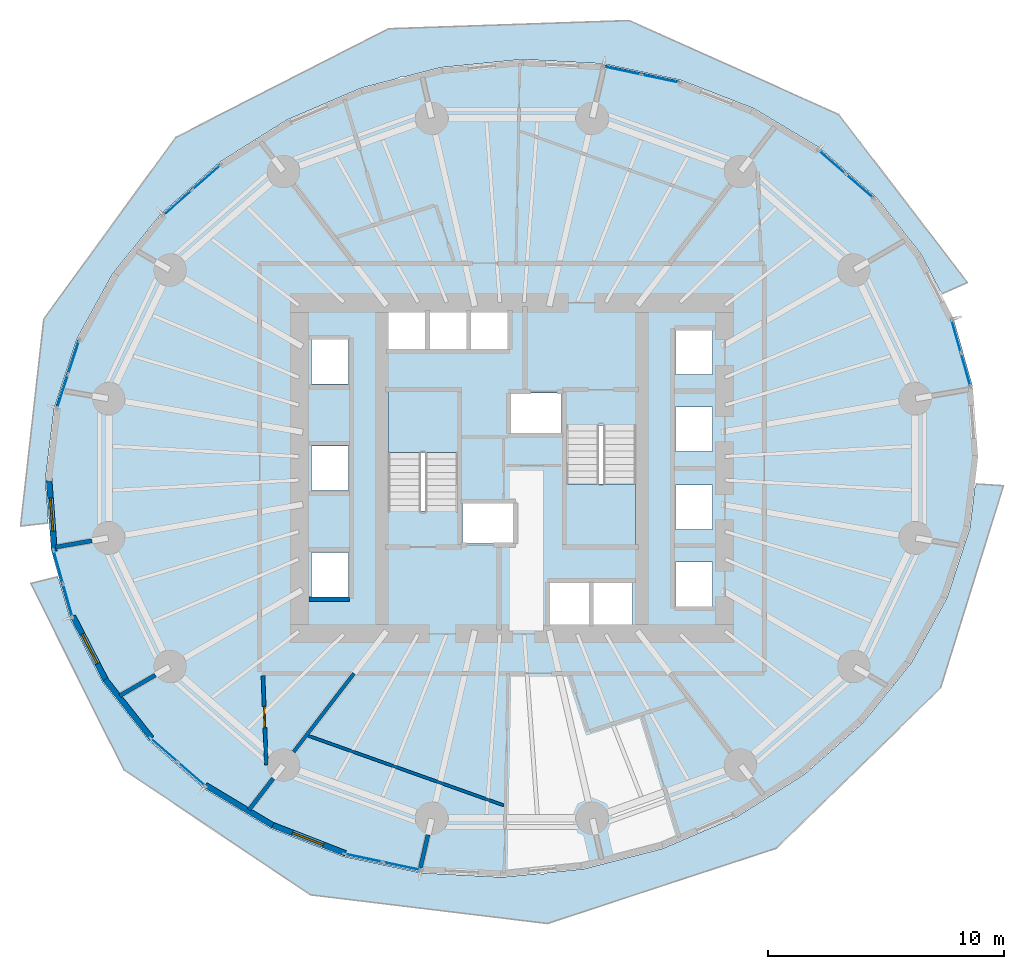
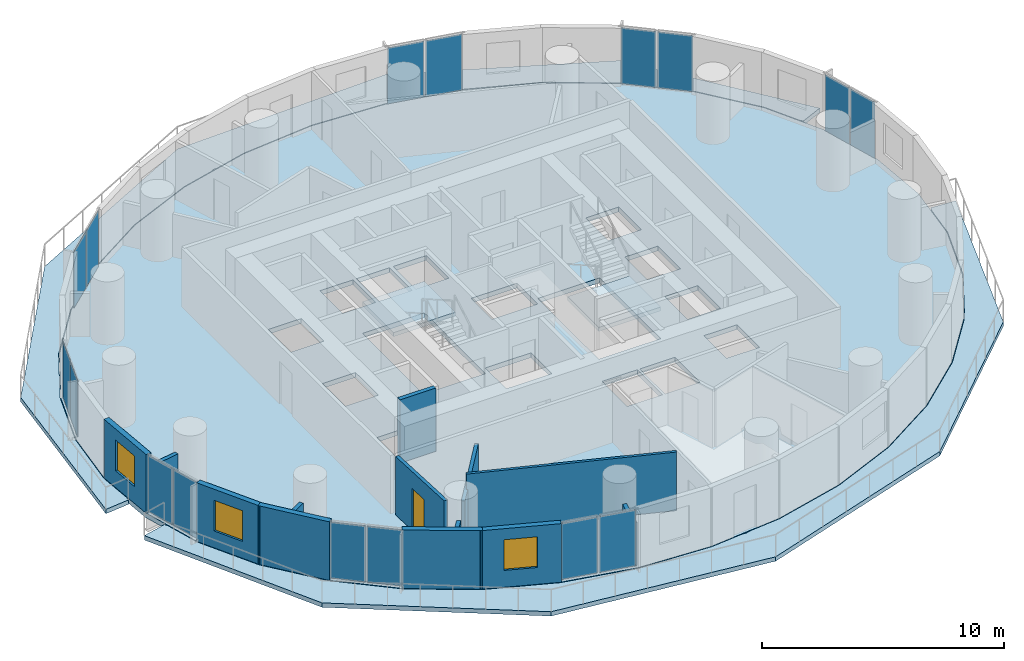
# One storey, part 6 of 14: 16 plates, 13 walls, 5 slabs, 3 windows, 1 door, 4 openings, 10 elements without a shape of their own.
"""IFC4 building model written with IfcOpenShell, lengths in metres."""

from ifc_helpers import new_model, si_unit, direction, frame, frame_2d, origin, origin_2d, place, context, subcontext, project, spatial, polyline, rectangle, outline, extrude, material, layer, layer_set, type_object, element, fill, aggregate, save


model = new_model("IFC4")

# Units and contexts
model_context = context("Model", 3, precision=1e-05, world=origin(), true_north=direction((0.0, 1.0)))
body_context = subcontext(model_context, "Body", "Model", "MODEL_VIEW")
ifc_project = project(units=[si_unit("LENGTHUNIT", "METRE"), si_unit("AREAUNIT", "SQUARE_METRE"), si_unit("VOLUMEUNIT", "CUBIC_METRE"), si_unit("PLANEANGLEUNIT", "RADIAN"), si_unit("MASSUNIT", "GRAM", prefix="KILO")], contexts=[model_context])

# Site, building, storey
site_placement = place(None, origin())
site = spatial("IfcSite", under=ifc_project, at=site_placement, CompositionType="ELEMENT")
building_placement = place(site_placement, origin())
building = spatial("IfcBuilding", under=site, at=building_placement, Name="Veldorim Arch Residences", CompositionType="ELEMENT")
storey_placement = place(building_placement, frame((0.0, 0.0, 50.39990234375)))
storey = spatial("IfcBuildingStorey", under=building, at=storey_placement, Name="L14", CompositionType="ELEMENT", Elevation=50.39990234375)

# Slabs
ifc_material_1 = material(Name="Concrete C40/50", Category="concrete")
ifc_layer_1 = layer(ifc_material_1, 0.219970703125, Name="Planted Crescent Cantilever Balcony Slab 220")
ifc_layer_set_1 = layer_set([ifc_layer_1], Name="Concrete C40/50")
slab_type_1 = type_object("IfcSlabType", Name="Planted Crescent Cantilever Balcony Slab 220", PredefinedType="FLOOR", material=ifc_layer_set_1)
slab_1_placement = place(storey_placement, frame((0.0, 0.0, -0.219970703125)))
element("IfcSlab", 1, at=slab_1_placement, inside=storey, type_object=slab_type_1, Name="L14 planted crescent balcony slab A", PredefinedType="FLOOR", context=body_context, shape_type="SweptSolid", body=[
    extrude(outline(polyline([(50.09228515625, 31.54150390625), (49.310302734375, 33.06201171875), (47.3955078125, 35.485595703125), (45.01318359375, 37.560302734375), (42.235595703125, 39.22265625), (39.147216796875, 40.42236328125), (35.841796875, 41.123291015625), (32.419921875, 41.30419921875), (28.985107421875, 40.959228515625), (27.514892578125, 40.580810546875), (27.31689453125, 40.572021484375), (27.14013671875, 40.484619140625), (25.64208984375, 40.09912109375), (22.4921875, 38.750244140625), (19.630615234375, 36.953125), (17.14501953125, 34.762451171875), (15.110595703125, 32.24462890625), (13.589111328125, 29.47607421875), (12.627197265625, 26.541015625), (12.25390625, 23.5283203125), (12.37939453125, 21.86962890625), (12.34716796875, 21.681884765625), (11.2041015625, 21.557373046875), (12.189453125, 30.31494140625), (17.773193359375, 38.0029296875), (26.772216796875, 42.60009765625), (36.96337890625, 42.94677734375), (45.82080078125, 38.97314453125), (51.26953125, 31.861328125), (50.2177734375, 31.396484375), (50.09228515625, 31.54150390625)])), origin(), (0.0, 0.0, 1.0), 0.219970703125),
])
slab_2_placement = place(storey_placement, frame((0.0, 0.0, -0.219970703125)))
element("IfcSlab", 2, at=slab_2_placement, inside=storey, type_object=slab_type_1, Name="L14 planted crescent balcony slab B", PredefinedType="FLOOR", context=body_context, shape_type="SweptSolid", body=[
    extrude(outline(polyline([(12.84716796875, 19.238037109375), (13.301025390625, 17.63720703125), (14.689697265625, 14.93798828125), (16.6044921875, 12.514404296875), (18.98681640625, 10.439697265625), (21.764404296875, 8.77734375), (24.852783203125, 7.57763671875), (28.158203125, 6.876708984375), (31.580078125, 6.69580078125), (33.118896484375, 6.850341796875), (33.315185546875, 6.829345703125), (33.504150390625, 6.88916015625), (35.014892578125, 7.040771484375), (38.35791015625, 7.90087890625), (41.5078125, 9.249755859375), (44.369384765625, 11.046875), (46.85498046875, 13.237548828125), (48.889404296875, 15.75537109375), (50.410888671875, 18.52392578125), (51.372802734375, 21.458984375), (51.5830078125, 23.15576171875), (51.650634765625, 23.33544921875), (52.79833984375, 23.261474609375), (50.134521484375, 14.70751953125), (43.189208984375, 7.924560546875), (33.502685546875, 4.73779296875), (23.470947265625, 5.951904296875), (15.57958984375, 11.244384765625), (11.63623046875, 19.1259765625), (12.75244140625, 19.40283203125), (12.84716796875, 19.238037109375)])), origin(), (0.0, 0.0, 1.0), 0.219970703125),
])

# Stair, slab
ifc_material_2 = material(Name="Concrete C40/50", Category="concrete")
stair_type = type_object("IfcStairType", Name="Reinforced Concrete Dogleg Exit Staircase", PredefinedType="HALF_TURN_STAIR", material=ifc_material_2)
stair_1_placement = place(storey_placement, origin())
stair_1 = element("IfcStair", 3, at=stair_1_placement, inside=storey, type_object=stair_type, Name="L14 Exit Staircase ST-1", PredefinedType="HALF_TURN_STAIR")
ifc_material_3 = material(Name="Concrete C40/50", Category="concrete")
ifc_layer_2 = layer(ifc_material_3, 0.199951171875, Name="Reinforced Concrete Stair Landing 200")
ifc_layer_set_2 = layer_set([ifc_layer_2], Name="Concrete C40/50")
slab_type_2 = type_object("IfcSlabType", Name="Reinforced Concrete Stair Landing 200", PredefinedType="LANDING", material=ifc_layer_set_2)
slab_3_placement = place(storey_placement, frame((0.0, 0.0, 1.400146484375)))
slab_3 = element("IfcSlab", 4, at=slab_3_placement, type_object=slab_type_2, Name="ST-1 landing 1", PredefinedType="LANDING", context=body_context, shape_type="SweptSolid", body=[
    extrude(outline(polyline([(29.7099609375, 24.669921875), (29.7099609375, 27.25), (26.75, 27.25), (26.75, 24.669921875), (29.7099609375, 24.669921875)])), origin(), (0.0, 0.0, 1.0), 0.199951171875),
])
aggregate(stair_1, [slab_3])

stair_2_placement = place(storey_placement, origin())
stair_2 = element("IfcStair", 5, at=stair_2_placement, inside=storey, type_object=stair_type, Name="L14 Exit Staircase ST-2", PredefinedType="HALF_TURN_STAIR")
slab_4_placement = place(storey_placement, frame((0.0, 0.0, 1.400146484375)))
slab_4 = element("IfcSlab", 6, at=slab_4_placement, type_object=slab_type_2, Name="ST-2 landing 1", PredefinedType="LANDING", context=body_context, shape_type="SweptSolid", body=[
    extrude(outline(polyline([(34.2900390625, 23.330078125), (34.2900390625, 20.75), (37.25, 20.75), (37.25, 23.330078125), (34.2900390625, 23.330078125)])), origin(), (0.0, 0.0, 1.0), 0.199951171875),
])
aggregate(stair_2, [slab_4])

# Slab
ifc_material_4 = material(Name="Concrete C40/50", Category="concrete")
ifc_layer_3 = layer(ifc_material_4, 0.239990234375, Name="Typical Residential Floor Slab 240")
ifc_layer_set_3 = layer_set([ifc_layer_3], Name="Concrete C40/50")
slab_type_3 = type_object("IfcSlabType", Name="Typical Residential Floor Slab 240", PredefinedType="FLOOR", material=ifc_layer_set_3)
slab_5_placement = place(storey_placement, frame((0.0, 0.0, -0.239990234375)))
element("IfcSlab", 7, at=slab_5_placement, inside=storey, type_object=slab_type_3, Name="L14 tower structural floor slab", PredefinedType="FLOOR", context=body_context, shape_type="SweptSolid", body=[
    extrude(outline(polyline([(51.494384765625, 27.465576171875), (50.675537109375, 30.353515625), (49.2890625, 33.04833984375), (47.37744140625, 35.468505859375), (44.99853515625, 37.5400390625), (42.224609375, 39.2001953125), (39.14013671875, 40.3984375), (35.838623046875, 41.098388671875), (32.42041015625, 41.279052734375), (28.989501953125, 40.9345703125), (25.650146484375, 40.075439453125), (22.503662109375, 38.72802734375), (19.645751953125, 36.93310546875), (17.1630859375, 34.7451171875), (15.13134765625, 32.230712890625), (13.6123046875, 29.466064453125), (12.651611328125, 26.535400390625), (12.279052734375, 23.52783203125), (12.505615234375, 20.534423828125), (13.324462890625, 17.646484375), (14.7109375, 14.95166015625), (16.62255859375, 12.531494140625), (19.00146484375, 10.4599609375), (21.775390625, 8.7998046875), (24.85986328125, 7.6015625), (28.161376953125, 6.901611328125), (31.57958984375, 6.720947265625), (35.010498046875, 7.0654296875), (38.349853515625, 7.924560546875), (41.496337890625, 9.27197265625), (44.354248046875, 11.06689453125), (46.8369140625, 13.2548828125), (48.86865234375, 15.769287109375), (50.3876953125, 18.533935546875), (51.348388671875, 21.464599609375), (51.720947265625, 24.47216796875), (51.494384765625, 27.465576171875)]), holes=[polyline([(23.510009765625, 20.43994140625), (25.090087890625, 20.43994140625), (25.090087890625, 18.56005859375), (23.510009765625, 18.56005859375), (23.510009765625, 20.43994140625)]), polyline([(29.909912109375, 22.544921875), (32.090087890625, 22.544921875), (32.090087890625, 20.81494140625), (29.909912109375, 20.81494140625), (29.909912109375, 22.544921875)]), polyline([(23.510009765625, 24.93994140625), (25.090087890625, 24.93994140625), (25.090087890625, 23.06005859375), (23.510009765625, 23.06005859375), (23.510009765625, 24.93994140625)]), polyline([(26.75, 27.25), (29.7099609375, 27.25), (29.7099609375, 22.195068359375), (26.75, 22.195068359375), (26.75, 27.25)]), polyline([(23.510009765625, 29.43994140625), (25.090087890625, 29.43994140625), (25.090087890625, 27.56005859375), (23.510009765625, 27.56005859375), (23.510009765625, 29.43994140625)]), polyline([(26.760009765625, 30.7900390625), (28.340087890625, 30.7900390625), (28.340087890625, 28.909912109375), (26.760009765625, 28.909912109375), (26.760009765625, 30.7900390625)]), polyline([(28.510009765625, 30.7900390625), (30.090087890625, 30.7900390625), (30.090087890625, 28.909912109375), (28.510009765625, 28.909912109375), (28.510009765625, 30.7900390625)]), polyline([(30.260009765625, 30.7900390625), (31.840087890625, 30.7900390625), (31.840087890625, 28.909912109375), (30.260009765625, 28.909912109375), (30.260009765625, 30.7900390625)]), polyline([(33.610107421875, 19.2900390625), (35.2900390625, 19.2900390625), (35.2900390625, 17.2099609375), (33.610107421875, 17.2099609375), (33.610107421875, 19.2900390625)]), polyline([(35.409912109375, 19.2900390625), (37.090087890625, 19.2900390625), (37.090087890625, 17.2099609375), (35.409912109375, 17.2099609375), (35.409912109375, 19.2900390625)]), polyline([(38.909912109375, 20.0400390625), (40.489990234375, 20.0400390625), (40.489990234375, 18.159912109375), (38.909912109375, 18.159912109375), (38.909912109375, 20.0400390625)]), polyline([(38.909912109375, 23.2900390625), (40.489990234375, 23.2900390625), (40.489990234375, 21.409912109375), (38.909912109375, 21.409912109375), (38.909912109375, 23.2900390625)]), polyline([(34.2900390625, 25.804931640625), (37.25, 25.804931640625), (37.25, 20.75), (34.2900390625, 20.75), (34.2900390625, 25.804931640625)]), polyline([(38.909912109375, 26.590087890625), (40.489990234375, 26.590087890625), (40.489990234375, 24.7099609375), (38.909912109375, 24.7099609375), (38.909912109375, 26.590087890625)]), polyline([(31.909912109375, 27.18505859375), (34.090087890625, 27.18505859375), (34.090087890625, 25.455078125), (31.909912109375, 25.455078125), (31.909912109375, 27.18505859375)]), polyline([(38.909912109375, 29.840087890625), (40.489990234375, 29.840087890625), (40.489990234375, 27.9599609375), (38.909912109375, 27.9599609375), (38.909912109375, 29.840087890625)])]), origin(), (0.0, 0.0, 1.0), 0.239990234375),
])

# Curtain wall, plates
ifc_material_5 = material(Name="Aluminium", Category="aluminium")
curtain_wall_type = type_object("IfcCurtainWallType", Name="Zone 1 Acoustic Low-E Unitised Curtain Wall", PredefinedType="NOTDEFINED", material=ifc_material_5)
curtain_wall_1_placement = place(storey_placement, origin())
curtain_wall_1 = element("IfcCurtainWall", 8, at=curtain_wall_1_placement, inside=storey, type_object=curtain_wall_type, Name="L14 unitised curtain wall bay 01", PredefinedType="NOTDEFINED")
ifc_material_6 = material(Name="Laminated Low-E Glass", Category="glass")
ifc_layer_4 = layer(ifc_material_6, 0.02587890625, Name="Zone 1 Acoustic Low-E Unitised Curtain Wall Glazing Panel 26")
ifc_layer_set_4 = layer_set([ifc_layer_4], Name="Laminated Low-E Glass")
plate_type = type_object("IfcPlateType", Name="Zone 1 Acoustic Low-E Unitised Curtain Wall Glazing Panel 26", PredefinedType="CURTAIN_PANEL", material=ifc_layer_set_4)
plate_1_placement = place(storey_placement, frame((50.798095703125, 29.59130859375, 0.06494140625), z_axis=(0.0, 0.0, 1.0), x_axis=(0.27279786898, -0.962071370887, 0.0)))
plate_1 = element("IfcPlate", 9, at=plate_1_placement, type_object=plate_type, Name="CW-Z1 panel 1.1", PredefinedType="CURTAIN_PANEL", context=body_context, shape_type="SweptSolid", body=[
    extrude(rectangle(XDim=1.4033203125, YDim=0.02587890625, at=origin_2d()), origin(), (0.0, 0.0, 1.0), 2.830078125),
])
plate_2_placement = place(storey_placement, frame((51.19873046875, 28.178466796875, 0.06494140625), z_axis=(0.0, 0.0, 1.0), x_axis=(0.27279786898, -0.962071370887, 0.0)))
plate_2 = element("IfcPlate", 10, at=plate_2_placement, type_object=plate_type, Name="CW-Z1 panel 2.1", PredefinedType="CURTAIN_PANEL", context=body_context, shape_type="SweptSolid", body=[
    extrude(rectangle(XDim=1.4033203125, YDim=0.02587890625, at=origin_2d()), origin(), (0.0, 0.0, 1.0), 2.830078125),
])
aggregate(curtain_wall_1, [plate_1, plate_2])

curtain_wall_2_placement = place(storey_placement, origin())
curtain_wall_2 = element("IfcCurtainWall", 11, at=curtain_wall_2_placement, inside=storey, type_object=curtain_wall_type, Name="L14 unitised curtain wall bay 04", PredefinedType="NOTDEFINED")
plate_3_placement = place(storey_placement, frame((45.54638671875, 36.943603515625, 0.06494140625), z_axis=(0.0, 0.0, 1.0), x_axis=(0.754135785195, -0.656718522267, 0.0)))
plate_3 = element("IfcPlate", 12, at=plate_3_placement, type_object=plate_type, Name="CW-Z1 panel 1.1", PredefinedType="CURTAIN_PANEL", context=body_context, shape_type="SweptSolid", body=[
    extrude(rectangle(XDim=1.479736328125, YDim=0.02587890625, at=origin_2d()), origin(), (0.0, 0.0, 1.0), 2.830078125),
])
plate_4_placement = place(storey_placement, frame((46.71142578125, 35.928955078125, 0.06494140625), z_axis=(0.0, 0.0, 1.0), x_axis=(0.754135785195, -0.656718522267, 0.0)))
plate_4 = element("IfcPlate", 13, at=plate_4_placement, type_object=plate_type, Name="CW-Z1 panel 2.1", PredefinedType="CURTAIN_PANEL", context=body_context, shape_type="SweptSolid", body=[
    extrude(rectangle(XDim=1.479736328125, YDim=0.02587890625, at=origin_2d()), origin(), (0.0, 0.0, 1.0), 2.830078125),
])
aggregate(curtain_wall_2, [plate_3, plate_4])

curtain_wall_3_placement = place(storey_placement, origin())
curtain_wall_3 = element("IfcCurtainWall", 14, at=curtain_wall_3_placement, inside=storey, type_object=curtain_wall_type, Name="L14 unitised curtain wall bay 07", PredefinedType="NOTDEFINED")
plate_5_placement = place(storey_placement, frame((36.6611328125, 40.83203125, 0.06494140625), z_axis=(0.0, 0.0, 1.0), x_axis=(0.978247245919, -0.207442343439, 0.0)))
plate_5 = element("IfcPlate", 15, at=plate_5_placement, type_object=plate_type, Name="CW-Z1 panel 1.1", PredefinedType="CURTAIN_PANEL", context=body_context, shape_type="SweptSolid", body=[
    extrude(rectangle(XDim=1.58984375, YDim=0.02587890625, at=origin_2d()), origin(), (0.0, 0.0, 1.0), 2.830078125),
])
plate_6_placement = place(storey_placement, frame((38.280029296875, 40.48876953125, 0.06494140625), z_axis=(0.0, 0.0, 1.0), x_axis=(0.978247245919, -0.207442343439, 0.0)))
plate_6 = element("IfcPlate", 16, at=plate_6_placement, type_object=plate_type, Name="CW-Z1 panel 2.1", PredefinedType="CURTAIN_PANEL", context=body_context, shape_type="SweptSolid", body=[
    extrude(rectangle(XDim=1.58984375, YDim=0.02587890625, at=origin_2d()), origin(), (0.0, 0.0, 1.0), 2.830078125),
])
aggregate(curtain_wall_3, [plate_5, plate_6])

curtain_wall_4_placement = place(storey_placement, origin())
curtain_wall_4 = element("IfcCurtainWall", 17, at=curtain_wall_4_placement, inside=storey, type_object=curtain_wall_type, Name="L14 unitised curtain wall bay 13", PredefinedType="NOTDEFINED")
plate_7_placement = place(storey_placement, frame((17.85546875, 35.2353515625, 0.06494140625), z_axis=(0.0, 0.0, 1.0), x_axis=(0.750203728094, 0.661206750082, 0.0)))
plate_7 = element("IfcPlate", 18, at=plate_7_placement, type_object=plate_type, Name="CW-Z1 panel 1.1", PredefinedType="CURTAIN_PANEL", context=body_context, shape_type="SweptSolid", body=[
    extrude(rectangle(XDim=1.55712890625, YDim=0.02587890625, at=origin_2d()), origin(), (0.0, 0.0, 1.0), 2.830078125),
])
plate_8_placement = place(storey_placement, frame((19.072265625, 36.307861328125, 0.06494140625), z_axis=(0.0, 0.0, 1.0), x_axis=(0.750203728094, 0.661206750082, 0.0)))
plate_8 = element("IfcPlate", 19, at=plate_8_placement, type_object=plate_type, Name="CW-Z1 panel 2.1", PredefinedType="CURTAIN_PANEL", context=body_context, shape_type="SweptSolid", body=[
    extrude(rectangle(XDim=1.55712890625, YDim=0.02587890625, at=origin_2d()), origin(), (0.0, 0.0, 1.0), 2.830078125),
])
aggregate(curtain_wall_4, [plate_7, plate_8])

curtain_wall_5_placement = place(storey_placement, origin())
curtain_wall_5 = element("IfcCurtainWall", 20, at=curtain_wall_5_placement, inside=storey, type_object=curtain_wall_type, Name="L14 unitised curtain wall bay 16", PredefinedType="NOTDEFINED")
plate_9_placement = place(storey_placement, frame((12.982421875, 27.255615234375, 0.06494140625), z_axis=(0.0, 0.0, 1.0), x_axis=(0.31144747365, 0.950263369365, 0.0)))
plate_9 = element("IfcPlate", 21, at=plate_9_placement, type_object=plate_type, Name="CW-Z1 panel 1.1", PredefinedType="CURTAIN_PANEL", context=body_context, shape_type="SweptSolid", body=[
    extrude(rectangle(XDim=1.444580078125, YDim=0.02587890625, at=origin_2d()), origin(), (0.0, 0.0, 1.0), 2.830078125),
])
plate_10_placement = place(storey_placement, frame((13.452392578125, 28.68994140625, 0.06494140625), z_axis=(0.0, 0.0, 1.0), x_axis=(0.31144747365, 0.950263369365, 0.0)))
plate_10 = element("IfcPlate", 22, at=plate_10_placement, type_object=plate_type, Name="CW-Z1 panel 2.1", PredefinedType="CURTAIN_PANEL", context=body_context, shape_type="SweptSolid", body=[
    extrude(rectangle(XDim=1.444580078125, YDim=0.02587890625, at=origin_2d()), origin(), (0.0, 0.0, 1.0), 2.830078125),
])
aggregate(curtain_wall_5, [plate_9, plate_10])

curtain_wall_6_placement = place(storey_placement, origin())
curtain_wall_6 = element("IfcCurtainWall", 23, at=curtain_wall_6_placement, inside=storey, type_object=curtain_wall_type, Name="L14 unitised curtain wall bay 19", PredefinedType="NOTDEFINED")
plate_11_placement = place(storey_placement, frame((13.201904296875, 18.40869140625, 0.06494140625), z_axis=(0.0, 0.0, 1.0), x_axis=(-0.27279786898, 0.962071370887, 0.0)))
plate_11 = element("IfcPlate", 24, at=plate_11_placement, type_object=plate_type, Name="CW-Z1 panel 1.1", PredefinedType="CURTAIN_PANEL", context=body_context, shape_type="SweptSolid", body=[
    extrude(rectangle(XDim=1.4033203125, YDim=0.02587890625, at=origin_2d()), origin(), (0.0, 0.0, 1.0), 2.830078125),
])
plate_12_placement = place(storey_placement, frame((12.80126953125, 19.821533203125, 0.06494140625), z_axis=(0.0, 0.0, 1.0), x_axis=(-0.27279786898, 0.962071370887, 0.0)))
plate_12 = element("IfcPlate", 25, at=plate_12_placement, type_object=plate_type, Name="CW-Z1 panel 2.1", PredefinedType="CURTAIN_PANEL", context=body_context, shape_type="SweptSolid", body=[
    extrude(rectangle(XDim=1.4033203125, YDim=0.02587890625, at=origin_2d()), origin(), (0.0, 0.0, 1.0), 2.830078125),
])
aggregate(curtain_wall_6, [plate_11, plate_12])

curtain_wall_7_placement = place(storey_placement, origin())
curtain_wall_7 = element("IfcCurtainWall", 26, at=curtain_wall_7_placement, inside=storey, type_object=curtain_wall_type, Name="L14 unitised curtain wall bay 22", PredefinedType="NOTDEFINED")
plate_13_placement = place(storey_placement, frame((18.45361328125, 11.056396484375, 0.06494140625), z_axis=(0.0, 0.0, 1.0), x_axis=(-0.754135785195, 0.656718522267, 0.0)))
plate_13 = element("IfcPlate", 27, at=plate_13_placement, type_object=plate_type, Name="CW-Z1 panel 1.1", PredefinedType="CURTAIN_PANEL", context=body_context, shape_type="SweptSolid", body=[
    extrude(rectangle(XDim=1.479736328125, YDim=0.02587890625, at=origin_2d()), origin(), (0.0, 0.0, 1.0), 2.830078125),
])
plate_14_placement = place(storey_placement, frame((17.28857421875, 12.071044921875, 0.06494140625), z_axis=(0.0, 0.0, 1.0), x_axis=(-0.754135785195, 0.656718522267, 0.0)))
plate_14 = element("IfcPlate", 28, at=plate_14_placement, type_object=plate_type, Name="CW-Z1 panel 2.1", PredefinedType="CURTAIN_PANEL", context=body_context, shape_type="SweptSolid", body=[
    extrude(rectangle(XDim=1.479736328125, YDim=0.02587890625, at=origin_2d()), origin(), (0.0, 0.0, 1.0), 2.830078125),
])
aggregate(curtain_wall_7, [plate_13, plate_14])

curtain_wall_8_placement = place(storey_placement, origin())
curtain_wall_8 = element("IfcCurtainWall", 29, at=curtain_wall_8_placement, inside=storey, type_object=curtain_wall_type, Name="L14 unitised curtain wall bay 25", PredefinedType="NOTDEFINED")
plate_15_placement = place(storey_placement, frame((27.3388671875, 7.16796875, 0.06494140625), z_axis=(0.0, 0.0, 1.0), x_axis=(-0.978247245919, 0.207442343439, 0.0)))
plate_15 = element("IfcPlate", 30, at=plate_15_placement, type_object=plate_type, Name="CW-Z1 panel 1.1", PredefinedType="CURTAIN_PANEL", context=body_context, shape_type="SweptSolid", body=[
    extrude(rectangle(XDim=1.58984375, YDim=0.02587890625, at=origin_2d()), origin(), (0.0, 0.0, 1.0), 2.830078125),
])
plate_16_placement = place(storey_placement, frame((25.719970703125, 7.51123046875, 0.06494140625), z_axis=(0.0, 0.0, 1.0), x_axis=(-0.978247245919, 0.207442343439, 0.0)))
plate_16 = element("IfcPlate", 31, at=plate_16_placement, type_object=plate_type, Name="CW-Z1 panel 2.1", PredefinedType="CURTAIN_PANEL", context=body_context, shape_type="SweptSolid", body=[
    extrude(rectangle(XDim=1.58984375, YDim=0.02587890625, at=origin_2d()), origin(), (0.0, 0.0, 1.0), 2.830078125),
])
aggregate(curtain_wall_8, [plate_15, plate_16])

# Walls
ifc_material_7 = material(Name="Acoustic Gypsum Board", Category="gypsum")
ifc_layer_5 = layer(ifc_material_7, 0.125, Name="Acoustic Stud Room Partition Wall 125")
ifc_layer_set_5 = layer_set([ifc_layer_5], Name="Acoustic Gypsum Board")
wall_type_1 = type_object("IfcWallType", Name="Acoustic Stud Room Partition Wall 125", PredefinedType="PARTITIONING", material=ifc_layer_set_5)
wall_1_placement = place(storey_placement, frame((23.3046875, 12.70654296875, 0.0), z_axis=(0.0, 0.0, 1.0), x_axis=(0.942091409395, -0.33535619324, 0.0)))
element("IfcWall", 32, at=wall_1_placement, inside=storey, type_object=wall_type_1, Name="L14 interior wall WL-RES-L14-012", PredefinedType="PARTITIONING", context=body_context, shape_type="SweptSolid", body=[
    extrude(rectangle(XDim=8.853271484375, YDim=0.125, at=frame_2d((4.4267578125, 0.0))), origin(), (0.0, 0.0, 1.0), 2.955078125),
])
ifc_material_8 = material(Name="Lightweight Masonry Block & Gypsum", Category="masonry")
ifc_layer_6 = layer(ifc_material_8, 0.179931640625, Name="Compartment & Corridor Fire-Rated Party Wall 180")
ifc_layer_set_6 = layer_set([ifc_layer_6], Name="Lightweight Masonry Block & Gypsum")
wall_type_2 = type_object("IfcWallType", Name="Compartment & Corridor Fire-Rated Party Wall 180", PredefinedType="PARTITIONING", material=ifc_layer_set_6)
wall_2_placement = place(storey_placement, frame((14.224853515625, 20.931640625, 0.0), z_axis=(0.0, 0.0, 1.0), x_axis=(-0.985424214748, -0.170115011059, 0.0)))
element("IfcWall", 33, at=wall_2_placement, inside=storey, type_object=wall_type_2, Name="L14 interior wall WL-PIER-L14-09", PredefinedType="PARTITIONING", context=body_context, shape_type="SweptSolid", body=[
    extrude(rectangle(XDim=1.571533203125, YDim=0.179931640625, at=frame_2d((0.78564453125, 0.0))), origin(), (0.0, 0.0, 1.0), 2.17822265625),
])
wall_3_placement = place(storey_placement, frame((16.909423828125, 15.249755859375, 0.0), z_axis=(0.0, 0.0, 1.0), x_axis=(-0.865027552002, -0.501724360857, 0.0)))
element("IfcWall", 34, at=wall_3_placement, inside=storey, type_object=wall_type_2, Name="L14 interior wall WL-PIER-L14-10", PredefinedType="PARTITIONING", context=body_context, shape_type="SweptSolid", body=[
    extrude(rectangle(XDim=1.747802734375, YDim=0.179931640625, at=frame_2d((0.8740234375, 0.0))), origin(), (0.0, 0.0, 1.0), 2.17822265625),
])
wall_4_placement = place(storey_placement, frame((21.893798828125, 10.874267578125, 0.0), z_axis=(0.0, 0.0, 1.0), x_axis=(-0.610021184497, -0.792385104898, 0.0)))
element("IfcWall", 35, at=wall_4_placement, inside=storey, type_object=wall_type_2, Name="L14 interior wall WL-PIER-L14-11", PredefinedType="PARTITIONING", context=body_context, shape_type="SweptSolid", body=[
    extrude(rectangle(XDim=1.672119140625, YDim=0.179931640625, at=frame_2d((0.8359375, 0.0))), origin(), (0.0, 0.0, 1.0), 2.17822265625),
])
wall_5_placement = place(storey_placement, frame((28.444580078125, 8.48828125, 0.0), z_axis=(0.0, 0.0, 1.0), x_axis=(-0.223463944202, -0.974712196313, 0.0)))
element("IfcWall", 36, at=wall_5_placement, inside=storey, type_object=wall_type_2, Name="L14 interior wall WL-PIER-L14-12", PredefinedType="PARTITIONING", context=body_context, shape_type="SweptSolid", body=[
    extrude(rectangle(XDim=1.43115234375, YDim=0.179931640625, at=frame_2d((0.715576171875, 0.0))), origin(), (0.0, 0.0, 1.0), 2.17822265625),
])
ifc_material_9 = material(Name="Concrete C50/60", Category="concrete")
ifc_layer_7 = layer(ifc_material_9, 0.199951171875, Name="Core Stair & Lift Shaft Enclosure Wall 200")
ifc_layer_set_7 = layer_set([ifc_layer_7], Name="Concrete C50/60")
wall_type_3 = type_object("IfcWallType", Name="Core Stair & Lift Shaft Enclosure Wall 200", PredefinedType="SHEAR", material=ifc_layer_set_7)
wall_6_placement = place(storey_placement, frame((23.419921875, 18.4599609375, 0.0), z_axis=(0.0, 0.0, 1.0), x_axis=(1.0, 0.0, 0.0)))
element("IfcWall", 37, at=wall_6_placement, inside=storey, type_object=wall_type_3, Name="L14 shaft wall WL-B2-L14-S", PredefinedType="SHEAR", context=body_context, shape_type="SweptSolid", body=[
    extrude(rectangle(XDim=1.7099609375, YDim=0.199951171875, at=frame_2d((0.85498046875, 0.0))), origin(), (0.0, 0.0, 1.0), 3.2001953125),
])

# Wall, opening, window
ifc_material_10 = material(Name="Precast concrete C40/50", Category="concrete")
ifc_layer_8 = layer(ifc_material_10, 0.25, Name="Tower Terracotta Spandrel & Pier Wall 250")
ifc_layer_set_8 = layer_set([ifc_layer_8], Name="Precast concrete C40/50")
wall_type_4 = type_object("IfcWallType", Name="Tower Terracotta Spandrel & Pier Wall 250", PredefinedType="SOLIDWALL", material=ifc_layer_set_8)
wall_7_placement = place(storey_placement, frame((12.633544921875, 20.4990234375, 0.0), z_axis=(0.0, 0.0, 1.0), x_axis=(-0.075488770926, 0.997146651934, 0.0)))
wall_7 = element("IfcWall", 38, at=wall_7_placement, inside=storey, type_object=wall_type_4, Name="L14 terracotta facade wall 18", PredefinedType="SOLIDWALL", context=body_context, shape_type="SweptSolid", body=[
    extrude(rectangle(XDim=3.091796875, YDim=0.25, at=frame_2d((1.5458984375, 0.0))), origin(), (0.0, 0.0, 1.0), 2.960205078125),
])
opening_1_placement = place(wall_7_placement, frame((0.845947265625, 0.0, 0.85009765625)))
opening_1 = element("IfcOpeningElement", 39, at=opening_1_placement, cuts=wall_7, Name="Opening WN-02", PredefinedType="OPENING", context=body_context, shape_type="SweptSolid", body=[
    extrude(rectangle(XDim=1.39990234375, YDim=1.550048828125, at=frame_2d((0.699951171875, 0.77490234375))), frame((0.0, 0.135009765625, 0.0), z_axis=(0.0, -1.0, 0.0), x_axis=(1.0, 0.0, 0.0)), (0.0, 0.0, 1.0), 0.27001953125),
])
ifc_material_11 = material(Name="Laminated Low-E Glass", Category="glass")
window_type = type_object("IfcWindowType", Name="Residential Casement Window 1400x1550", PartitioningType="SINGLE_PANEL", PredefinedType="WINDOW", material=ifc_material_11)
window_1_placement = place(opening_1_placement, origin())
window_1 = element("IfcWindow", 40, at=window_1_placement, inside=storey, type_object=window_type, Name="L14 solar-control facade window 18", OverallHeight=1.550048828125, OverallWidth=1.39990234375, PartitioningType="SINGLE_PANEL", PredefinedType="WINDOW", context=body_context, shape_type="SweptSolid", body=[
    extrude(rectangle(XDim=1.39990234375, YDim=1.550048828125, at=frame_2d((0.699951171875, 0.77490234375))), frame((0.0, 0.030029296875, 0.0), z_axis=(0.0, -1.0, 0.0), x_axis=(1.0, 0.0, 0.0)), (0.0, 0.0, 1.0), 0.06005859375),
])
fill(opening_1, window_1)

wall_8_placement = place(storey_placement, frame((14.842529296875, 14.96875, 0.0), z_axis=(0.0, 0.0, 1.0), x_axis=(-0.457448772631, 0.889235975666, 0.0)))
wall_8 = element("IfcWall", 41, at=wall_8_placement, inside=storey, type_object=wall_type_4, Name="L14 terracotta facade wall 20", PredefinedType="SOLIDWALL", context=body_context, shape_type="SweptSolid", body=[
    extrude(rectangle(XDim=3.12060546875, YDim=0.25, at=frame_2d((1.560302734375, 0.0))), origin(), (0.0, 0.0, 1.0), 2.960205078125),
])
opening_2_placement = place(wall_8_placement, frame((0.860107421875, 0.0, 0.85009765625)))
opening_2 = element("IfcOpeningElement", 42, at=opening_2_placement, cuts=wall_8, Name="Opening WN-02", PredefinedType="OPENING", context=body_context, shape_type="SweptSolid", body=[
    extrude(rectangle(XDim=1.39990234375, YDim=1.550048828125, at=frame_2d((0.699951171875, 0.77490234375))), frame((0.0, 0.135009765625, 0.0), z_axis=(0.0, -1.0, 0.0), x_axis=(1.0, 0.0, 0.0)), (0.0, 0.0, 1.0), 0.27001953125),
])
window_2_placement = place(opening_2_placement, origin())
window_2 = element("IfcWindow", 43, at=window_2_placement, inside=storey, type_object=window_type, Name="L14 solar-control facade window 20", OverallHeight=1.550048828125, OverallWidth=1.39990234375, PartitioningType="SINGLE_PANEL", PredefinedType="WINDOW", context=body_context, shape_type="SweptSolid", body=[
    extrude(rectangle(XDim=1.39990234375, YDim=1.550048828125, at=frame_2d((0.699951171875, 0.77490234375))), frame((0.0, 0.030029296875, 0.0), z_axis=(0.0, -1.0, 0.0), x_axis=(1.0, 0.0, 0.0)), (0.0, 0.0, 1.0), 0.06005859375),
])
fill(opening_2, window_2)

# Walls
wall_9_placement = place(storey_placement, frame((16.74853515625, 12.57373046875, 0.0), z_axis=(0.0, 0.0, 1.0), x_axis=(-0.619871206143, 0.784703566829, 0.0)))
element("IfcWall", 44, at=wall_9_placement, inside=storey, type_object=wall_type_4, Name="L14 terracotta facade wall 21", PredefinedType="SOLIDWALL", context=body_context, shape_type="SweptSolid", body=[
    extrude(rectangle(XDim=3.174072265625, YDim=0.25, at=frame_2d((1.5869140625, 0.0))), origin(), (0.0, 0.0, 1.0), 2.960205078125),
])
wall_10_placement = place(storey_placement, frame((21.878173828125, 8.884033203125, 0.0), z_axis=(0.0, 0.0, 1.0), x_axis=(-0.858069400356, 0.513533742001, 0.0)))
element("IfcWall", 45, at=wall_10_placement, inside=storey, type_object=wall_type_4, Name="L14 terracotta facade wall 23", PredefinedType="SOLIDWALL", context=body_context, shape_type="SweptSolid", body=[
    extrude(rectangle(XDim=3.32275390625, YDim=0.25, at=frame_2d((1.661376953125, 0.0))), origin(), (0.0, 0.0, 1.0), 2.960205078125),
])

# Wall, opening, window
wall_11_placement = place(storey_placement, frame((24.947021484375, 7.701904296875, 0.0), z_axis=(0.0, 0.0, 1.0), x_axis=(-0.932140755825, 0.362096135479, 0.0)))
wall_11 = element("IfcWall", 46, at=wall_11_placement, inside=storey, type_object=wall_type_4, Name="L14 terracotta facade wall 24", PredefinedType="SOLIDWALL", context=body_context, shape_type="SweptSolid", body=[
    extrude(rectangle(XDim=3.39892578125, YDim=0.25, at=frame_2d((1.699462890625, 0.0))), origin(), (0.0, 0.0, 1.0), 2.960205078125),
])
opening_3_placement = place(wall_11_placement, frame((1.0, 0.0, 0.85009765625)))
opening_3 = element("IfcOpeningElement", 47, at=opening_3_placement, cuts=wall_11, Name="Opening WN-02", PredefinedType="OPENING", context=body_context, shape_type="SweptSolid", body=[
    extrude(rectangle(XDim=1.39990234375, YDim=1.550048828125, at=frame_2d((0.699951171875, 0.77490234375))), frame((0.0, 0.135009765625, 0.0), z_axis=(0.0, -1.0, 0.0), x_axis=(1.0, 0.0, 0.0)), (0.0, 0.0, 1.0), 0.27001953125),
])
window_3_placement = place(opening_3_placement, origin())
window_3 = element("IfcWindow", 48, at=window_3_placement, inside=storey, type_object=window_type, Name="L14 solar-control facade window 24", OverallHeight=1.550048828125, OverallWidth=1.39990234375, PartitioningType="SINGLE_PANEL", PredefinedType="WINDOW", context=body_context, shape_type="SweptSolid", body=[
    extrude(rectangle(XDim=1.39990234375, YDim=1.550048828125, at=frame_2d((0.699951171875, 0.77490234375))), frame((0.0, 0.030029296875, 0.0), z_axis=(0.0, -1.0, 0.0), x_axis=(1.0, 0.0, 0.0)), (0.0, 0.0, 1.0), 0.06005859375),
])
fill(opening_3, window_3)

# Wall
ifc_material_12 = material(Name="Moisture-Resistant Gypsum & Stud", Category="gypsum")
ifc_layer_9 = layer(ifc_material_12, 0.159912109375, Name="Wet-Area Moisture-Resistant Plumbing Wall 160")
ifc_layer_set_9 = layer_set([ifc_layer_9], Name="Moisture-Resistant Gypsum & Stud")
wall_type_5 = type_object("IfcWallType", Name="Wet-Area Moisture-Resistant Plumbing Wall 160", PredefinedType="PLUMBINGWALL", material=ifc_layer_set_9)
wall_12_placement = place(storey_placement, frame((22.75927734375, 11.998291015625, 0.0), z_axis=(0.0, 0.0, 1.0), x_axis=(0.610070932863, 0.792346803411, 0.0)))
element("IfcWall", 49, at=wall_12_placement, inside=storey, type_object=wall_type_5, Name="L14 interior wall WL-RES-L14-013", PredefinedType="PLUMBINGWALL", context=body_context, shape_type="SweptSolid", body=[
    extrude(rectangle(XDim=4.1923828125, YDim=0.159912109375, at=frame_2d((2.09619140625, 0.0))), origin(), (0.0, 0.0, 1.0), 2.17822265625),
])

# Wall, opening, door
wall_13_placement = place(storey_placement, frame((21.462890625, 15.22021484375, 0.0), z_axis=(0.0, 0.0, 1.0), x_axis=(0.037109528702, -0.99931120422, 0.0)))
wall_13 = element("IfcWall", 50, at=wall_13_placement, inside=storey, type_object=wall_type_5, Name="L14 interior wall WL-RES-L14-022", PredefinedType="PLUMBINGWALL", context=body_context, shape_type="SweptSolid", body=[
    extrude(rectangle(XDim=3.782958984375, YDim=0.159912109375, at=frame_2d((1.8916015625, 0.0))), origin(), (0.0, 0.0, 1.0), 2.955078125),
])
opening_4_placement = place(wall_13_placement, frame((1.301513671875, 0.0, 0.0)))
opening_4 = element("IfcOpeningElement", 51, at=opening_4_placement, cuts=wall_13, Name="Opening DR-WC", PredefinedType="OPENING", context=body_context, shape_type="SweptSolid", body=[
    extrude(rectangle(XDim=0.89990234375, YDim=2.10009765625, at=frame_2d((0.449951171875, 1.050048828125))), frame((0.0, 0.08984375, 0.0), z_axis=(0.0, -1.0, 0.0), x_axis=(1.0, 0.0, 0.0)), (0.0, 0.0, 1.0), 0.179931640625),
])
ifc_material_13 = material(Name="Laminate Timber", Category="wood")
door_type = type_object("IfcDoorType", Name="Bathroom & Accessible WC Moisture-Sealed Door 900x2100", OperationType="SINGLE_SWING_LEFT", PredefinedType="DOOR", material=ifc_material_13)
door_placement = place(opening_4_placement, origin())
door = element("IfcDoor", 52, at=door_placement, inside=storey, type_object=door_type, Name="L14 interior door DR-RES-L14-014", OperationType="SINGLE_SWING_RIGHT", OverallHeight=2.10009765625, OverallWidth=0.89990234375, PredefinedType="DOOR", context=body_context, shape_type="SweptSolid", body=[
    extrude(rectangle(XDim=0.89990234375, YDim=2.10009765625, at=frame_2d((0.449951171875, 1.050048828125))), frame((0.0, 0.02490234375, 0.0), z_axis=(0.0, -1.0, 0.0), x_axis=(1.0, 0.0, 0.0)), (0.0, 0.0, 1.0), 0.050048828125),
])
fill(opening_4, door)

save(model, "model.ifc")
